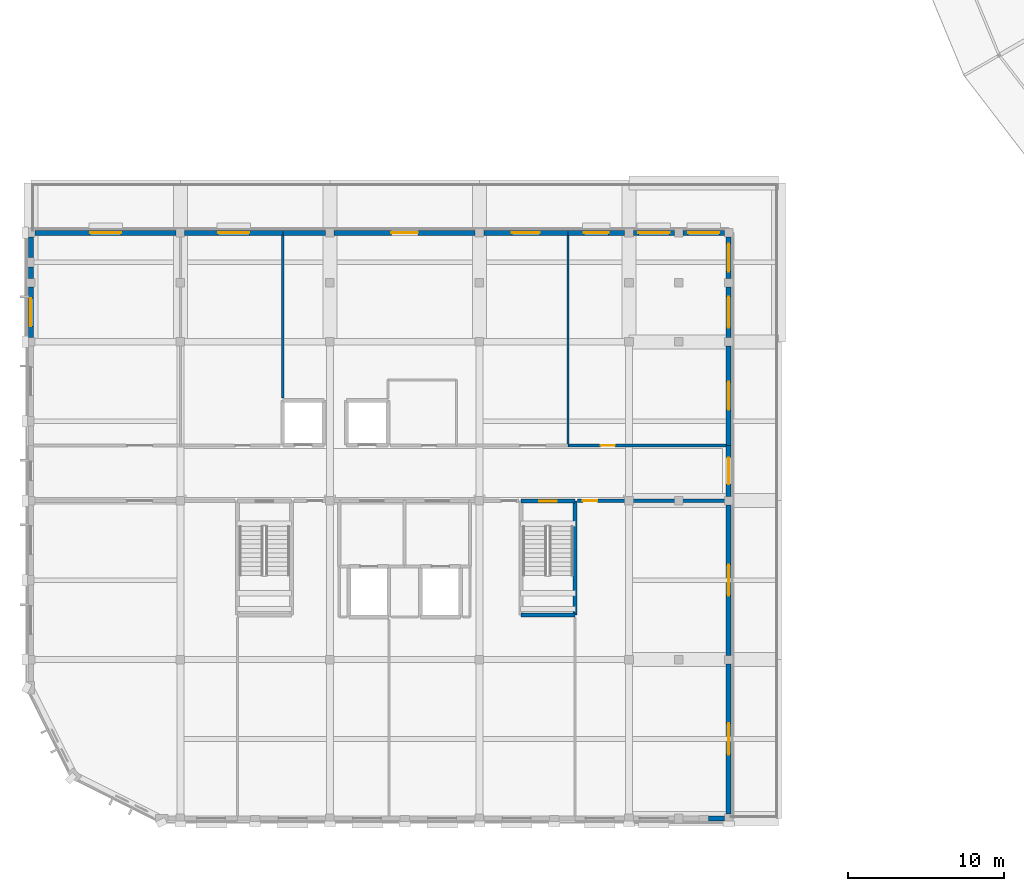
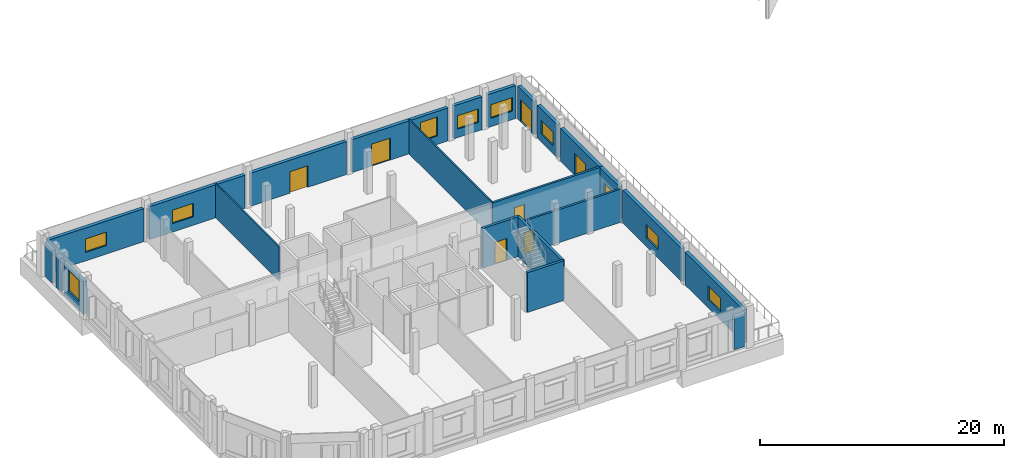
# One storey, part 61 of 70: 25 walls, 9 windows, 8 doors, 17 openings.
"""IFC4 building model written with IfcOpenShell, lengths in metres."""

import ifcopenshell
import ifcopenshell.guid

model = None  # the IFC model being written
_history = None  # IfcOwnerHistory: only IFC2X3 demands one
_inside = {}  # id of a spatial element -> (the spatial element, [elements in it])
_under = {}  # id of a project, library or spatial element -> (it, [spatial elements below it])
_declared = {}  # id of a project -> (the project, [libraries it declares])
_typed = {}  # id of a type object -> (the type object, [elements of that type])
_made_of = {}  # id of a material, layer set ... -> (it, [elements and type objects made of it])


def new_model(schema):
    """Start an empty IFC model of exactly this schema.

    Asked for "IFC4X3", IfcOpenShell would pick the latest addendum, in which some entities
    have other attributes; the version numbers below select the first issue.
    IFC2X3 requires an IfcOwnerHistory on every rooted entity: one is made here for all.
    """
    global model, _history
    if schema == "IFC4X3":
        model = ifcopenshell.file(schema_version=(4, 3, 0, 0))
    else:
        model = ifcopenshell.file(schema=schema)
    _inside.clear()
    _under.clear()
    _declared.clear()
    _typed.clear()
    _made_of.clear()
    _history = None
    if model.schema == "IFC2X3":
        org = make("IfcOrganization", Name="unknown")
        user = make(
            "IfcPersonAndOrganization",
            ThePerson=make("IfcPerson", FamilyName="unknown"),
            TheOrganization=org,
        )
        app = make(
            "IfcApplication",
            ApplicationDeveloper=org,
            Version="unknown",
            ApplicationFullName="unknown",
            ApplicationIdentifier="unknown",
        )
        _history = make(
            "IfcOwnerHistory",
            OwningUser=user,
            OwningApplication=app,
            ChangeAction="ADDED",
            CreationDate=0,
        )
    return model


def make(cls, **values):
    """One entity of the class cls with the attributes given. An attribute that is None is left unset."""
    return model.create_entity(
        cls, **{name: value for name, value in values.items() if value is not None}
    )


def rooted(cls, **values):
    """An entity with a GlobalId (a new one), such as an element, a storey or a relation."""
    return make(cls, GlobalId=ifcopenshell.guid.new(), OwnerHistory=_history, **values)


def si_unit(unit_type, name, prefix=None):
    """IfcSIUnit, for example si_unit("LENGTHUNIT", "METRE", prefix="MILLI")."""
    return make("IfcSIUnit", UnitType=unit_type, Prefix=prefix, Name=name)


def assignment(units):
    """IfcUnitAssignment: the units of a project."""
    return None if units is None else make("IfcUnitAssignment", Units=units)


def point(xyz):
    """IfcCartesianPoint."""
    return None if xyz is None else make("IfcCartesianPoint", Coordinates=xyz)


def direction(xyz):
    """IfcDirection."""
    return None if xyz is None else make("IfcDirection", DirectionRatios=xyz)


def frame(location, z_axis=None, x_axis=None):
    """IfcAxis2Placement3D, a coordinate frame: its origin and axes. An axis left out is left unset."""
    return make(
        "IfcAxis2Placement3D",
        Location=point(location),
        Axis=direction(z_axis),
        RefDirection=direction(x_axis),
    )


def frame_2d(location, x_axis=None):
    """IfcAxis2Placement2D, a coordinate frame in the plane: its origin and x axis."""
    return make(
        "IfcAxis2Placement2D", Location=point(location), RefDirection=direction(x_axis)
    )


def origin():
    """The frame at (0, 0, 0) with its axes left unset."""
    return frame((0.0, 0.0, 0.0))


def place(relative_to, where):
    """IfcLocalPlacement: puts the frame where relative to a parent placement (None: the world)."""
    return make(
        "IfcLocalPlacement", PlacementRelTo=relative_to, RelativePlacement=where
    )


def context(
    kind, dimensions, precision=None, world=None, true_north=None, identifier=None
):
    """IfcGeometricRepresentationContext, for example the 3D "Model" context."""
    return make(
        "IfcGeometricRepresentationContext",
        ContextIdentifier=identifier,
        ContextType=kind,
        CoordinateSpaceDimension=dimensions,
        Precision=precision,
        WorldCoordinateSystem=world,
        TrueNorth=true_north,
    )


def subcontext(parent, identifier, kind, view, scale=None):
    """IfcGeometricRepresentationSubContext, for example "Body" below "Model"."""
    return make(
        "IfcGeometricRepresentationSubContext",
        ContextIdentifier=identifier,
        ContextType=kind,
        ParentContext=parent,
        TargetScale=scale,
        TargetView=view,
    )


def project(units=None, contexts=None):
    """IfcProject with its units and contexts."""
    return rooted(
        "IfcProject",
        Name="project",
        RepresentationContexts=contexts,
        UnitsInContext=assignment(units),
    )


def spatial(cls, under=None, at=None, **own):
    """A site, building, storey or space (cls), placed at a placement, below another one or the project."""
    s = rooted(cls, ObjectPlacement=at, **own)
    if under is not None:
        _under.setdefault(under.id(), (under, []))[1].append(s)
    return s


def profile(cls, at=None, kind="AREA", **sizes):
    """A parametric profile (cls). Its sizes go by their IFC names, for example OverallWidth=200.0."""
    return make(cls, ProfileType=kind, Position=at, **sizes)


def rectangle(**sizes):
    """IfcRectangleProfileDef."""
    return profile("IfcRectangleProfileDef", **sizes)


def extrude(swept, where, along, depth):
    """IfcExtrudedAreaSolid: the profile swept, set in the frame where, extruded along a direction by depth."""
    return make(
        "IfcExtrudedAreaSolid",
        SweptArea=swept,
        Position=where,
        ExtrudedDirection=direction(along),
        Depth=depth,
    )


def shape(context_of_items, identifier, shape_type, items):
    """IfcShapeRepresentation: the items that make up one representation, for example the "Body"."""
    return make(
        "IfcShapeRepresentation",
        ContextOfItems=context_of_items,
        RepresentationIdentifier=identifier,
        RepresentationType=shape_type,
        Items=items,
    )


def material(Name=None, Category=None):
    """IfcMaterial."""
    return make("IfcMaterial", Name=Name, Category=Category)


def layer(
    of_material, thickness, ventilated=None, Name=None, Category=None, Priority=None
):
    """IfcMaterialLayer: one layer of a wall or slab, of a material (None: an air gap)."""
    return make(
        "IfcMaterialLayer",
        Material=of_material,
        LayerThickness=thickness,
        IsVentilated=ventilated,
        Name=Name,
        Category=Category,
        Priority=Priority,
    )


def layer_set(layers, Name=None):
    """IfcMaterialLayerSet."""
    return make("IfcMaterialLayerSet", MaterialLayers=layers, LayerSetName=Name)


def made_of(thing, what):
    """Note that an element or type object is made of a material, layer set ...; save() writes the relation."""
    if what is not None:
        _made_of.setdefault(what.id(), (what, []))[1].append(thing)
    return thing


def type_object(cls, material=None, **own):
    """A type object (cls), such as IfcWallType, which elements share."""
    return made_of(rooted(cls, **own), material)


def element(
    cls,
    number,
    at=None,
    inside=None,
    cuts=None,
    type_object=None,
    material=None,
    context=None,
    identifier="Body",
    shape_type=None,
    held_by="IfcProductDefinitionShape",
    body=None,
    shapes=None,
    **own,
):
    """One element of the class cls, such as IfcWall. Its Tag is "e" and its number.

    at: its placement. inside: the storey or other place that contains it. cuts: it is an
    opening in that element (IfcRelVoidsElement). A single representation is given by context,
    identifier, shape_type and body (its items); several are given by shapes. held_by: the class
    of the entity that holds the representations. save() writes the other relations.
    """
    e = rooted(cls, Tag="e%d" % number, ObjectPlacement=at, **own)
    if body is not None:
        shapes = [shape(context, identifier, shape_type, body)]
    if shapes is not None:
        e.Representation = make(held_by, Representations=shapes)
    if inside is not None:
        _inside.setdefault(inside.id(), (inside, []))[1].append(e)
    if cuts is not None:
        rooted(
            "IfcRelVoidsElement", RelatingBuildingElement=cuts, RelatedOpeningElement=e
        )
    if type_object is not None:
        _typed.setdefault(type_object.id(), (type_object, []))[1].append(e)
    return made_of(e, material)


def fill(opening, filler):
    """IfcRelFillsElement: the door or window that sits in an opening."""
    return rooted(
        "IfcRelFillsElement",
        RelatingOpeningElement=opening,
        RelatedBuildingElement=filler,
    )


def aggregate(whole, parts):
    """IfcRelAggregates: a whole, such as a stair, and the parts it consists of."""
    return rooted("IfcRelAggregates", RelatingObject=whole, RelatedObjects=parts)


def save(model, path):
    """Write the relations noted so far, then the file.

    IfcRelAggregates (storeys below a building ...), IfcRelContainedInSpatialStructure (elements
    in a storey), IfcRelDefinesByType, IfcRelAssociatesMaterial and IfcRelDeclares: one each for
    every whole, place, type object, material and project.
    """
    for whole, parts in _under.values():
        aggregate(whole, parts)
    for where, things in _inside.values():
        rooted(
            "IfcRelContainedInSpatialStructure",
            RelatedElements=things,
            RelatingStructure=where,
        )
    for kind, things in _typed.values():
        rooted("IfcRelDefinesByType", RelatedObjects=things, RelatingType=kind)
    for what, things in _made_of.values():
        rooted("IfcRelAssociatesMaterial", RelatedObjects=things, RelatingMaterial=what)
    for by, libraries in _declared.values():
        rooted("IfcRelDeclares", RelatingContext=by, RelatedDefinitions=libraries)
    model.write(path)


model = new_model("IFC4")

# Units and contexts
model_context = context("Model", 3, precision=1e-05, world=origin(), true_north=direction((0.0, 1.0)))
body_context = subcontext(model_context, "Body", "Model", "MODEL_VIEW")
ifc_project = project(units=[si_unit("LENGTHUNIT", "METRE"), si_unit("AREAUNIT", "SQUARE_METRE"), si_unit("VOLUMEUNIT", "CUBIC_METRE"), si_unit("PLANEANGLEUNIT", "RADIAN"), si_unit("MASSUNIT", "GRAM", prefix="KILO")], contexts=[model_context])

# Site, building, storey
site_placement = place(None, origin())
site = spatial("IfcSite", under=ifc_project, at=site_placement, CompositionType="ELEMENT")
building_placement = place(site_placement, origin())
building = spatial("IfcBuilding", under=site, at=building_placement, Name="Vondelvale Polytechnic", CompositionType="ELEMENT")
storey_placement = place(building_placement, frame((0.0, 0.0, 22.199951171875)))
storey = spatial("IfcBuildingStorey", under=building, at=storey_placement, Name="L05", CompositionType="ELEMENT", Elevation=22.199951171875)

# Wall
ifc_material_1 = material(Name="Amsterdam School iron-spot clinker clay brickwork", Category="masonry")
ifc_layer_1 = layer(ifc_material_1, 0.320068359375)
ifc_layer_set_1 = layer_set([ifc_layer_1], Name="WL-BRICK-320")
wall_type_1 = type_object("IfcWallType", Name="WL-BRICK-320", PredefinedType="SOLIDWALL", material=ifc_layer_set_1)
wall_1_placement = place(storey_placement, frame((44.52392578125, 0.0, 0.0), z_axis=(0.0, 0.0, 1.0), x_axis=(-1.0, 0.0, 0.0)))
element("IfcWall", 1, at=wall_1_placement, inside=storey, type_object=wall_type_1, Name="L05 exterior masonry facade wall", PredefinedType="SOLIDWALL", context=body_context, shape_type="SweptSolid", body=[
    extrude(rectangle(XDim=1.02294921875, YDim=0.320068359375, at=frame_2d((0.511474609375, 0.0))), origin(), (0.0, 0.0, 1.0), 3.300048828125),
])

# Wall, opening, window
wall_2_placement = place(storey_placement, frame((0.0, 30.8759765625, 0.0), z_axis=(0.0, 0.0, 1.0), x_axis=(0.0, 1.0, 0.0)))
wall_2 = element("IfcWall", 2, at=wall_2_placement, inside=storey, type_object=wall_type_1, Name="L05 exterior masonry facade wall", PredefinedType="SOLIDWALL", context=body_context, shape_type="SweptSolid", body=[
    extrude(rectangle(XDim=3.248046875, YDim=0.320068359375, at=frame_2d((1.6240234375, 0.0))), origin(), (0.0, 0.0, 1.0), 3.300048828125),
])
opening_1_placement = place(wall_2_placement, frame((0.72412109375, 0.0, 0.85009765625)))
opening_1 = element("IfcOpeningElement", 3, at=opening_1_placement, cuts=wall_2, Name="Opening WN-0267", PredefinedType="OPENING", context=body_context, shape_type="SweptSolid", body=[
    extrude(rectangle(XDim=1.800048828125, YDim=2.10009765625, at=frame_2d((0.89990234375, 1.050048828125))), frame((0.0, 0.169921875, 0.0), z_axis=(0.0, -1.0, 0.0), x_axis=(1.0, 0.0, 0.0)), (0.0, 0.0, 1.0), 0.340087890625),
])
ifc_material_2 = material(Name="Double-glazed low-E insulated architectural glass", Category="glass")
window_type_1 = type_object("IfcWindowType", Name="WN-LAB-1800x2100", PartitioningType="SINGLE_PANEL", PredefinedType="WINDOW", material=ifc_material_2)
window_1_placement = place(opening_1_placement, origin())
window_1 = element("IfcWindow", 4, at=window_1_placement, inside=storey, type_object=window_type_1, Name="L05 double-glazed architectural window WN-0267", OverallHeight=2.10009765625, OverallWidth=1.800048828125, PartitioningType="SINGLE_PANEL", PredefinedType="WINDOW", context=body_context, shape_type="SweptSolid", body=[
    extrude(rectangle(XDim=1.800048828125, YDim=2.10009765625, at=frame_2d((0.89990234375, 1.050048828125))), frame((0.0, 0.030029296875, 0.0), z_axis=(0.0, -1.0, 0.0), x_axis=(1.0, 0.0, 0.0)), (0.0, 0.0, 1.0), 0.06005859375),
])
fill(opening_1, window_1)

# Walls
wall_3_placement = place(storey_placement, frame((0.0, 34.676025390625, 0.0), z_axis=(0.0, 0.0, 1.0), x_axis=(0.0, 1.0, 0.0)))
element("IfcWall", 5, at=wall_3_placement, inside=storey, type_object=wall_type_1, Name="L05 exterior masonry facade wall", PredefinedType="SOLIDWALL", context=body_context, shape_type="SweptSolid", body=[
    extrude(rectangle(XDim=0.722900390625, YDim=0.320068359375, at=frame_2d((0.361328125, 0.0))), origin(), (0.0, 0.0, 1.0), 3.300048828125),
])
wall_4_placement = place(storey_placement, frame((0.0, 36.0009765625, 0.0), z_axis=(0.0, 0.0, 1.0), x_axis=(0.0, 1.0, 0.0)))
element("IfcWall", 6, at=wall_4_placement, inside=storey, type_object=wall_type_1, Name="L05 exterior masonry facade wall", PredefinedType="SOLIDWALL", context=body_context, shape_type="SweptSolid", body=[
    extrude(rectangle(XDim=1.322998046875, YDim=0.320068359375, at=frame_2d((0.66162109375, 0.0))), origin(), (0.0, 0.0, 1.0), 3.300048828125),
])

# Wall, opening, window
wall_5_placement = place(storey_placement, frame((44.800048828125, 9.924072265625, 0.0), z_axis=(0.0, 0.0, 1.0), x_axis=(0.0, -1.0, 0.0)))
wall_5 = element("IfcWall", 7, at=wall_5_placement, inside=storey, type_object=wall_type_1, Name="L05 exterior masonry facade wall", PredefinedType="SOLIDWALL", context=body_context, shape_type="SweptSolid", body=[
    extrude(rectangle(XDim=9.648193359375, YDim=0.320068359375, at=frame_2d((4.82421875, 0.0))), origin(), (0.0, 0.0, 1.0), 3.300048828125),
])
opening_2_placement = place(wall_5_placement, frame((3.823974609375, 0.0, 0.85009765625)))
opening_2 = element("IfcOpeningElement", 8, at=opening_2_placement, cuts=wall_5, Name="Opening WN-0268", PredefinedType="OPENING", context=body_context, shape_type="SweptSolid", body=[
    extrude(rectangle(XDim=2.0, YDim=1.35009765625, at=frame_2d((1.0, 0.675048828125))), frame((0.0, 0.169921875, 0.0), z_axis=(0.0, -1.0, 0.0), x_axis=(1.0, 0.0, 0.0)), (0.0, 0.0, 1.0), 0.340087890625),
])
window_type_2 = type_object("IfcWindowType", Name="WN-RIB-2000x1350", PartitioningType="SINGLE_PANEL", PredefinedType="WINDOW", material=ifc_material_2)
window_2_placement = place(opening_2_placement, origin())
window_2 = element("IfcWindow", 9, at=window_2_placement, inside=storey, type_object=window_type_2, Name="L05 double-glazed architectural window WN-0268", OverallHeight=1.35009765625, OverallWidth=2.0, PartitioningType="SINGLE_PANEL", PredefinedType="WINDOW", context=body_context, shape_type="SweptSolid", body=[
    extrude(rectangle(XDim=2.0, YDim=1.35009765625, at=frame_2d((1.0, 0.675048828125))), frame((0.0, 0.030029296875, 0.0), z_axis=(0.0, -1.0, 0.0), x_axis=(1.0, 0.0, 0.0)), (0.0, 0.0, 1.0), 0.06005859375),
])
fill(opening_2, window_2)

wall_6_placement = place(storey_placement, frame((44.800048828125, 20.1240234375, 0.0), z_axis=(0.0, 0.0, 1.0), x_axis=(0.0, -1.0, 0.0)))
wall_6 = element("IfcWall", 10, at=wall_6_placement, inside=storey, type_object=wall_type_1, Name="L05 exterior masonry facade wall", PredefinedType="SOLIDWALL", context=body_context, shape_type="SweptSolid", body=[
    extrude(rectangle(XDim=9.64794921875, YDim=0.320068359375, at=frame_2d((4.823974609375, 0.0))), origin(), (0.0, 0.0, 1.0), 3.300048828125),
])
opening_3_placement = place(wall_6_placement, frame((3.823974609375, 0.0, 0.85009765625)))
opening_3 = element("IfcOpeningElement", 11, at=opening_3_placement, cuts=wall_6, Name="Opening WN-0269", PredefinedType="OPENING", context=body_context, shape_type="SweptSolid", body=[
    extrude(rectangle(XDim=2.0, YDim=1.35009765625, at=frame_2d((1.0, 0.675048828125))), frame((0.0, 0.169921875, 0.0), z_axis=(0.0, -1.0, 0.0), x_axis=(1.0, 0.0, 0.0)), (0.0, 0.0, 1.0), 0.340087890625),
])
window_3_placement = place(opening_3_placement, origin())
window_3 = element("IfcWindow", 12, at=window_3_placement, inside=storey, type_object=window_type_2, Name="L05 double-glazed architectural window WN-0269", OverallHeight=1.35009765625, OverallWidth=2.0, PartitioningType="SINGLE_PANEL", PredefinedType="WINDOW", context=body_context, shape_type="SweptSolid", body=[
    extrude(rectangle(XDim=2.0, YDim=1.35009765625, at=frame_2d((1.0, 0.675048828125))), frame((0.0, 0.030029296875, 0.0), z_axis=(0.0, -1.0, 0.0), x_axis=(1.0, 0.0, 0.0)), (0.0, 0.0, 1.0), 0.06005859375),
])
fill(opening_3, window_3)

# Wall, opening, door
wall_7_placement = place(storey_placement, frame((44.800048828125, 23.949951171875, 0.0), z_axis=(0.0, 0.0, 1.0), x_axis=(0.0, -1.0, 0.0)))
wall_7 = element("IfcWall", 13, at=wall_7_placement, inside=storey, type_object=wall_type_1, Name="L05 exterior masonry facade wall", PredefinedType="SOLIDWALL", context=body_context, shape_type="SweptSolid", body=[
    extrude(rectangle(XDim=3.27392578125, YDim=0.320068359375, at=frame_2d((1.636962890625, 0.0))), origin(), (0.0, 0.0, 1.0), 3.300048828125),
])
opening_4_placement = place(wall_7_placement, frame((0.787109375, 0.0, 0.0)))
opening_4 = element("IfcOpeningElement", 14, at=opening_4_placement, cuts=wall_7, Name="Opening ED-011", PredefinedType="OPENING", context=body_context, shape_type="SweptSolid", body=[
    extrude(rectangle(XDim=1.699951171875, YDim=2.14990234375, at=frame_2d((0.85009765625, 1.074951171875))), frame((0.0, 0.169921875, 0.0), z_axis=(0.0, -1.0, 0.0), x_axis=(1.0, 0.0, 0.0)), (0.0, 0.0, 1.0), 0.340087890625),
])
ifc_material_3 = material(Name="Anodised extruded aluminium 6063-T6", Category="aluminium")
door_type_1 = type_object("IfcDoorType", Name="DR-TER-1700x2150", OperationType="DOUBLE_DOOR_SINGLE_SWING", PredefinedType="DOOR", material=ifc_material_3)
door_1_placement = place(opening_4_placement, origin())
door_1 = element("IfcDoor", 15, at=door_1_placement, inside=storey, type_object=door_type_1, Name="L05 exterior entrance/exit door ED-011", OperationType="DOUBLE_DOOR_SINGLE_SWING", OverallHeight=2.14990234375, OverallWidth=1.699951171875, PredefinedType="DOOR", context=body_context, shape_type="SweptSolid", body=[
    extrude(rectangle(XDim=1.699951171875, YDim=2.14990234375, at=frame_2d((0.85009765625, 1.074951171875))), frame((0.0, 0.02490234375, 0.0), z_axis=(0.0, -1.0, 0.0), x_axis=(1.0, 0.0, 0.0)), (0.0, 0.0, 1.0), 0.050048828125),
])
fill(opening_4, door_1)

wall_8_placement = place(storey_placement, frame((44.800048828125, 30.323974609375, 0.0), z_axis=(0.0, 0.0, 1.0), x_axis=(0.0, -1.0, 0.0)))
wall_8 = element("IfcWall", 16, at=wall_8_placement, inside=storey, type_object=wall_type_1, Name="L05 exterior masonry facade wall", PredefinedType="SOLIDWALL", context=body_context, shape_type="SweptSolid", body=[
    extrude(rectangle(XDim=6.3740234375, YDim=0.320068359375, at=frame_2d((3.18701171875, 0.0))), origin(), (0.0, 0.0, 1.0), 3.300048828125),
])
opening_5_placement = place(wall_8_placement, frame((2.287109375, 0.0, 0.0)))
opening_5 = element("IfcOpeningElement", 17, at=opening_5_placement, cuts=wall_8, Name="Opening ED-012", PredefinedType="OPENING", context=body_context, shape_type="SweptSolid", body=[
    extrude(rectangle(XDim=1.800048828125, YDim=2.199951171875, at=frame_2d((0.89990234375, 1.10009765625))), frame((0.0, 0.169921875, 0.0), z_axis=(0.0, -1.0, 0.0), x_axis=(1.0, 0.0, 0.0)), (0.0, 0.0, 1.0), 0.340087890625),
])
door_type_2 = type_object("IfcDoorType", Name="DR-TER-1800x2200", OperationType="DOUBLE_DOOR_SINGLE_SWING", PredefinedType="DOOR", material=ifc_material_3)
door_2_placement = place(opening_5_placement, origin())
door_2 = element("IfcDoor", 18, at=door_2_placement, inside=storey, type_object=door_type_2, Name="L05 exterior entrance/exit door ED-012", OperationType="DOUBLE_DOOR_SINGLE_SWING", OverallHeight=2.199951171875, OverallWidth=1.800048828125, PredefinedType="DOOR", context=body_context, shape_type="SweptSolid", body=[
    extrude(rectangle(XDim=1.800048828125, YDim=2.199951171875, at=frame_2d((0.89990234375, 1.10009765625))), frame((0.0, 0.02490234375, 0.0), z_axis=(0.0, -1.0, 0.0), x_axis=(1.0, 0.0, 0.0)), (0.0, 0.0, 1.0), 0.050048828125),
])
fill(opening_5, door_2)

wall_9_placement = place(storey_placement, frame((44.800048828125, 37.323974609375, 0.0), z_axis=(0.0, 0.0, 1.0), x_axis=(0.0, -1.0, 0.0)))
wall_9 = element("IfcWall", 19, at=wall_9_placement, inside=storey, type_object=wall_type_1, Name="L05 exterior masonry facade wall", PredefinedType="SOLIDWALL", context=body_context, shape_type="SweptSolid", body=[
    extrude(rectangle(XDim=2.64794921875, YDim=0.320068359375, at=frame_2d((1.323974609375, 0.0))), origin(), (0.0, 0.0, 1.0), 3.300048828125),
])
opening_6_placement = place(wall_9_placement, frame((0.424072265625, 0.0, 0.0)))
opening_6 = element("IfcOpeningElement", 20, at=opening_6_placement, cuts=wall_9, Name="Opening ED-013", PredefinedType="OPENING", context=body_context, shape_type="SweptSolid", body=[
    extrude(rectangle(XDim=1.800048828125, YDim=2.199951171875, at=frame_2d((0.89990234375, 1.10009765625))), frame((0.0, 0.169921875, 0.0), z_axis=(0.0, -1.0, 0.0), x_axis=(1.0, 0.0, 0.0)), (0.0, 0.0, 1.0), 0.340087890625),
])
door_3_placement = place(opening_6_placement, origin())
door_3 = element("IfcDoor", 21, at=door_3_placement, inside=storey, type_object=door_type_2, Name="L05 exterior entrance/exit door ED-013", OperationType="DOUBLE_DOOR_SINGLE_SWING", OverallHeight=2.199951171875, OverallWidth=1.800048828125, PredefinedType="DOOR", context=body_context, shape_type="SweptSolid", body=[
    extrude(rectangle(XDim=1.800048828125, YDim=2.199951171875, at=frame_2d((0.89990234375, 1.10009765625))), frame((0.0, 0.02490234375, 0.0), z_axis=(0.0, -1.0, 0.0), x_axis=(1.0, 0.0, 0.0)), (0.0, 0.0, 1.0), 0.050048828125),
])
fill(opening_6, door_3)

# Wall, opening, window
wall_10_placement = place(storey_placement, frame((44.800048828125, 34.1240234375, 0.0), z_axis=(0.0, 0.0, 1.0), x_axis=(0.0, -1.0, 0.0)))
wall_10 = element("IfcWall", 22, at=wall_10_placement, inside=storey, type_object=wall_type_1, Name="L05 exterior masonry facade wall", PredefinedType="SOLIDWALL", context=body_context, shape_type="SweptSolid", body=[
    extrude(rectangle(XDim=3.248046875, YDim=0.320068359375, at=frame_2d((1.6240234375, 0.0))), origin(), (0.0, 0.0, 1.0), 3.300048828125),
])
opening_7_placement = place(wall_10_placement, frame((0.6240234375, 0.0, 0.800048828125)))
opening_7 = element("IfcOpeningElement", 23, at=opening_7_placement, cuts=wall_10, Name="Opening WN-0270", PredefinedType="OPENING", context=body_context, shape_type="SweptSolid", body=[
    extrude(rectangle(XDim=2.0, YDim=1.35009765625, at=frame_2d((1.0, 0.675048828125))), frame((0.0, 0.169921875, 0.0), z_axis=(0.0, -1.0, 0.0), x_axis=(1.0, 0.0, 0.0)), (0.0, 0.0, 1.0), 0.340087890625),
])
window_4_placement = place(opening_7_placement, origin())
window_4 = element("IfcWindow", 24, at=window_4_placement, inside=storey, type_object=window_type_2, Name="L05 double-glazed architectural window WN-0270", OverallHeight=1.35009765625, OverallWidth=2.0, PartitioningType="SINGLE_PANEL", PredefinedType="WINDOW", context=body_context, shape_type="SweptSolid", body=[
    extrude(rectangle(XDim=2.0, YDim=1.35009765625, at=frame_2d((1.0, 0.675048828125))), frame((0.0, 0.030029296875, 0.0), z_axis=(0.0, -1.0, 0.0), x_axis=(1.0, 0.0, 0.0)), (0.0, 0.0, 1.0), 0.06005859375),
])
fill(opening_7, window_4)

wall_11_placement = place(storey_placement, frame((0.27587890625, 37.60009765625, 0.0), z_axis=(0.0, 0.0, 1.0), x_axis=(1.0, 0.0, 0.0)))
wall_11 = element("IfcWall", 25, at=wall_11_placement, inside=storey, type_object=wall_type_1, Name="L05 exterior masonry facade wall", PredefinedType="SOLIDWALL", context=body_context, shape_type="SweptSolid", body=[
    extrude(rectangle(XDim=9.048095703125, YDim=0.320068359375, at=frame_2d((4.52392578125, 0.0))), origin(), (0.0, 0.0, 1.0), 3.300048828125),
])
opening_8_placement = place(wall_11_placement, frame((3.52392578125, 0.0, 0.85009765625)))
opening_8 = element("IfcOpeningElement", 26, at=opening_8_placement, cuts=wall_11, Name="Opening WN-0271", PredefinedType="OPENING", context=body_context, shape_type="SweptSolid", body=[
    extrude(rectangle(XDim=2.0, YDim=1.35009765625, at=frame_2d((1.0, 0.675048828125))), frame((0.0, 0.169921875, 0.0), z_axis=(0.0, -1.0, 0.0), x_axis=(1.0, 0.0, 0.0)), (0.0, 0.0, 1.0), 0.340087890625),
])
window_5_placement = place(opening_8_placement, origin())
window_5 = element("IfcWindow", 27, at=window_5_placement, inside=storey, type_object=window_type_2, Name="L05 double-glazed architectural window WN-0271", OverallHeight=1.35009765625, OverallWidth=2.0, PartitioningType="SINGLE_PANEL", PredefinedType="WINDOW", context=body_context, shape_type="SweptSolid", body=[
    extrude(rectangle(XDim=2.0, YDim=1.35009765625, at=frame_2d((1.0, 0.675048828125))), frame((0.0, 0.030029296875, 0.0), z_axis=(0.0, -1.0, 0.0), x_axis=(1.0, 0.0, 0.0)), (0.0, 0.0, 1.0), 0.06005859375),
])
fill(opening_8, window_5)

wall_12_placement = place(storey_placement, frame((9.8759765625, 37.60009765625, 0.0), z_axis=(0.0, 0.0, 1.0), x_axis=(1.0, 0.0, 0.0)))
wall_12 = element("IfcWall", 28, at=wall_12_placement, inside=storey, type_object=wall_type_1, Name="L05 exterior masonry facade wall", PredefinedType="SOLIDWALL", context=body_context, shape_type="SweptSolid", body=[
    extrude(rectangle(XDim=6.299072265625, YDim=0.320068359375, at=frame_2d((3.1494140625, 0.0))), origin(), (0.0, 0.0, 1.0), 3.300048828125),
])
opening_9_placement = place(wall_12_placement, frame((2.1494140625, 0.0, 0.85009765625)))
opening_9 = element("IfcOpeningElement", 29, at=opening_9_placement, cuts=wall_12, Name="Opening WN-0272", PredefinedType="OPENING", context=body_context, shape_type="SweptSolid", body=[
    extrude(rectangle(XDim=2.0, YDim=1.35009765625, at=frame_2d((1.0, 0.675048828125))), frame((0.0, 0.169921875, 0.0), z_axis=(0.0, -1.0, 0.0), x_axis=(1.0, 0.0, 0.0)), (0.0, 0.0, 1.0), 0.340087890625),
])
window_6_placement = place(opening_9_placement, origin())
window_6 = element("IfcWindow", 30, at=window_6_placement, inside=storey, type_object=window_type_2, Name="L05 double-glazed architectural window WN-0272", OverallHeight=1.35009765625, OverallWidth=2.0, PartitioningType="SINGLE_PANEL", PredefinedType="WINDOW", context=body_context, shape_type="SweptSolid", body=[
    extrude(rectangle(XDim=2.0, YDim=1.35009765625, at=frame_2d((1.0, 0.675048828125))), frame((0.0, 0.030029296875, 0.0), z_axis=(0.0, -1.0, 0.0), x_axis=(1.0, 0.0, 0.0)), (0.0, 0.0, 1.0), 0.06005859375),
])
fill(opening_9, window_6)

# Wall
wall_13_placement = place(storey_placement, frame((16.175048828125, 37.60009765625, 0.0), z_axis=(0.0, 0.0, 1.0), x_axis=(1.0, 0.0, 0.0)))
element("IfcWall", 31, at=wall_13_placement, inside=storey, type_object=wall_type_1, Name="L05 exterior masonry facade wall", PredefinedType="SOLIDWALL", context=body_context, shape_type="SweptSolid", body=[
    extrude(rectangle(XDim=2.7490234375, YDim=0.320068359375, at=frame_2d((1.37451171875, 0.0))), origin(), (0.0, 0.0, 1.0), 3.300048828125),
])

# Wall, opening, door
wall_14_placement = place(storey_placement, frame((19.47607421875, 37.60009765625, 0.0), z_axis=(0.0, 0.0, 1.0), x_axis=(1.0, 0.0, 0.0)))
wall_14 = element("IfcWall", 32, at=wall_14_placement, inside=storey, type_object=wall_type_1, Name="L05 exterior masonry facade wall", PredefinedType="SOLIDWALL", context=body_context, shape_type="SweptSolid", body=[
    extrude(rectangle(XDim=9.0478515625, YDim=0.320068359375, at=frame_2d((4.52392578125, 0.0))), origin(), (0.0, 0.0, 1.0), 3.300048828125),
])
opening_10_placement = place(wall_14_placement, frame((3.674072265625, 0.0, 0.0)))
opening_10 = element("IfcOpeningElement", 33, at=opening_10_placement, cuts=wall_14, Name="Opening ED-014", PredefinedType="OPENING", context=body_context, shape_type="SweptSolid", body=[
    extrude(rectangle(XDim=1.699951171875, YDim=2.14990234375, at=frame_2d((0.85009765625, 1.074951171875))), frame((0.0, 0.169921875, 0.0), z_axis=(0.0, -1.0, 0.0), x_axis=(1.0, 0.0, 0.0)), (0.0, 0.0, 1.0), 0.340087890625),
])
door_4_placement = place(opening_10_placement, origin())
door_4 = element("IfcDoor", 34, at=door_4_placement, inside=storey, type_object=door_type_1, Name="L05 exterior entrance/exit door ED-014", OperationType="DOUBLE_DOOR_SINGLE_SWING", OverallHeight=2.14990234375, OverallWidth=1.699951171875, PredefinedType="DOOR", context=body_context, shape_type="SweptSolid", body=[
    extrude(rectangle(XDim=1.699951171875, YDim=2.14990234375, at=frame_2d((0.85009765625, 1.074951171875))), frame((0.0, 0.02490234375, 0.0), z_axis=(0.0, -1.0, 0.0), x_axis=(1.0, 0.0, 0.0)), (0.0, 0.0, 1.0), 0.050048828125),
])
fill(opening_10, door_4)

wall_15_placement = place(storey_placement, frame((29.075927734375, 37.60009765625, 0.0), z_axis=(0.0, 0.0, 1.0), x_axis=(1.0, 0.0, 0.0)))
wall_15 = element("IfcWall", 35, at=wall_15_placement, inside=storey, type_object=wall_type_1, Name="L05 exterior masonry facade wall", PredefinedType="SOLIDWALL", context=body_context, shape_type="SweptSolid", body=[
    extrude(rectangle(XDim=5.399169921875, YDim=0.320068359375, at=frame_2d((2.69970703125, 0.0))), origin(), (0.0, 0.0, 1.0), 3.300048828125),
])
opening_11_placement = place(wall_15_placement, frame((1.799560546875, 0.0, 0.0)))
opening_11 = element("IfcOpeningElement", 36, at=opening_11_placement, cuts=wall_15, Name="Opening ED-015", PredefinedType="OPENING", context=body_context, shape_type="SweptSolid", body=[
    extrude(rectangle(XDim=1.800048828125, YDim=2.199951171875, at=frame_2d((0.89990234375, 1.10009765625))), frame((0.0, 0.169921875, 0.0), z_axis=(0.0, -1.0, 0.0), x_axis=(1.0, 0.0, 0.0)), (0.0, 0.0, 1.0), 0.340087890625),
])
door_5_placement = place(opening_11_placement, origin())
door_5 = element("IfcDoor", 37, at=door_5_placement, inside=storey, type_object=door_type_2, Name="L05 exterior entrance/exit door ED-015", OperationType="DOUBLE_DOOR_SINGLE_SWING", OverallHeight=2.199951171875, OverallWidth=1.800048828125, PredefinedType="DOOR", context=body_context, shape_type="SweptSolid", body=[
    extrude(rectangle(XDim=1.800048828125, YDim=2.199951171875, at=frame_2d((0.89990234375, 1.10009765625))), frame((0.0, 0.02490234375, 0.0), z_axis=(0.0, -1.0, 0.0), x_axis=(1.0, 0.0, 0.0)), (0.0, 0.0, 1.0), 0.050048828125),
])
fill(opening_11, door_5)

# Wall, opening, window
wall_16_placement = place(storey_placement, frame((34.47509765625, 37.60009765625, 0.0), z_axis=(0.0, 0.0, 1.0), x_axis=(1.0, 0.0, 0.0)))
wall_16 = element("IfcWall", 38, at=wall_16_placement, inside=storey, type_object=wall_type_1, Name="L05 exterior masonry facade wall", PredefinedType="SOLIDWALL", context=body_context, shape_type="SweptSolid", body=[
    extrude(rectangle(XDim=3.64892578125, YDim=0.320068359375, at=frame_2d((1.824462890625, 0.0))), origin(), (0.0, 0.0, 1.0), 3.300048828125),
])
opening_12_placement = place(wall_16_placement, frame((1.0244140625, 0.0, 0.85009765625)))
opening_12 = element("IfcOpeningElement", 39, at=opening_12_placement, cuts=wall_16, Name="Opening WN-0273", PredefinedType="OPENING", context=body_context, shape_type="SweptSolid", body=[
    extrude(rectangle(XDim=1.60009765625, YDim=1.89990234375, at=frame_2d((0.800048828125, 0.949951171875))), frame((0.0, 0.169921875, 0.0), z_axis=(0.0, -1.0, 0.0), x_axis=(1.0, 0.0, 0.0)), (0.0, 0.0, 1.0), 0.340087890625),
])
window_type_3 = type_object("IfcWindowType", Name="WN-SEM-1600x1900", PartitioningType="SINGLE_PANEL", PredefinedType="WINDOW", material=ifc_material_2)
window_7_placement = place(opening_12_placement, origin())
window_7 = element("IfcWindow", 40, at=window_7_placement, inside=storey, type_object=window_type_3, Name="L05 double-glazed architectural window WN-0273", OverallHeight=1.89990234375, OverallWidth=1.60009765625, PartitioningType="SINGLE_PANEL", PredefinedType="WINDOW", context=body_context, shape_type="SweptSolid", body=[
    extrude(rectangle(XDim=1.60009765625, YDim=1.89990234375, at=frame_2d((0.800048828125, 0.949951171875))), frame((0.0, 0.030029296875, 0.0), z_axis=(0.0, -1.0, 0.0), x_axis=(1.0, 0.0, 0.0)), (0.0, 0.0, 1.0), 0.06005859375),
])
fill(opening_12, window_7)

wall_17_placement = place(storey_placement, frame((38.676025390625, 37.60009765625, 0.0), z_axis=(0.0, 0.0, 1.0), x_axis=(1.0, 0.0, 0.0)))
wall_17 = element("IfcWall", 41, at=wall_17_placement, inside=storey, type_object=wall_type_1, Name="L05 exterior masonry facade wall", PredefinedType="SOLIDWALL", context=body_context, shape_type="SweptSolid", body=[
    extrude(rectangle(XDim=2.64794921875, YDim=0.320068359375, at=frame_2d((1.323974609375, 0.0))), origin(), (0.0, 0.0, 1.0), 3.300048828125),
])
opening_13_placement = place(wall_17_placement, frame((0.323974609375, 0.0, 0.85009765625)))
opening_13 = element("IfcOpeningElement", 42, at=opening_13_placement, cuts=wall_17, Name="Opening WN-0274", PredefinedType="OPENING", context=body_context, shape_type="SweptSolid", body=[
    extrude(rectangle(XDim=2.0, YDim=1.35009765625, at=frame_2d((1.0, 0.675048828125))), frame((0.0, 0.169921875, 0.0), z_axis=(0.0, -1.0, 0.0), x_axis=(1.0, 0.0, 0.0)), (0.0, 0.0, 1.0), 0.340087890625),
])
window_8_placement = place(opening_13_placement, origin())
window_8 = element("IfcWindow", 43, at=window_8_placement, inside=storey, type_object=window_type_2, Name="L05 double-glazed architectural window WN-0274", OverallHeight=1.35009765625, OverallWidth=2.0, PartitioningType="SINGLE_PANEL", PredefinedType="WINDOW", context=body_context, shape_type="SweptSolid", body=[
    extrude(rectangle(XDim=2.0, YDim=1.35009765625, at=frame_2d((1.0, 0.675048828125))), frame((0.0, 0.030029296875, 0.0), z_axis=(0.0, -1.0, 0.0), x_axis=(1.0, 0.0, 0.0)), (0.0, 0.0, 1.0), 0.06005859375),
])
fill(opening_13, window_8)

wall_18_placement = place(storey_placement, frame((41.8759765625, 37.60009765625, 0.0), z_axis=(0.0, 0.0, 1.0), x_axis=(1.0, 0.0, 0.0)))
wall_18 = element("IfcWall", 44, at=wall_18_placement, inside=storey, type_object=wall_type_1, Name="L05 exterior masonry facade wall", PredefinedType="SOLIDWALL", context=body_context, shape_type="SweptSolid", body=[
    extrude(rectangle(XDim=2.64794921875, YDim=0.320068359375, at=frame_2d((1.323974609375, 0.0))), origin(), (0.0, 0.0, 1.0), 3.300048828125),
])
opening_14_placement = place(wall_18_placement, frame((0.323974609375, 0.0, 0.85009765625)))
opening_14 = element("IfcOpeningElement", 45, at=opening_14_placement, cuts=wall_18, Name="Opening WN-0275", PredefinedType="OPENING", context=body_context, shape_type="SweptSolid", body=[
    extrude(rectangle(XDim=2.0, YDim=1.35009765625, at=frame_2d((1.0, 0.675048828125))), frame((0.0, 0.169921875, 0.0), z_axis=(0.0, -1.0, 0.0), x_axis=(1.0, 0.0, 0.0)), (0.0, 0.0, 1.0), 0.340087890625),
])
window_9_placement = place(opening_14_placement, origin())
window_9 = element("IfcWindow", 46, at=window_9_placement, inside=storey, type_object=window_type_2, Name="L05 double-glazed architectural window WN-0275", OverallHeight=1.35009765625, OverallWidth=2.0, PartitioningType="SINGLE_PANEL", PredefinedType="WINDOW", context=body_context, shape_type="SweptSolid", body=[
    extrude(rectangle(XDim=2.0, YDim=1.35009765625, at=frame_2d((1.0, 0.675048828125))), frame((0.0, 0.030029296875, 0.0), z_axis=(0.0, -1.0, 0.0), x_axis=(1.0, 0.0, 0.0)), (0.0, 0.0, 1.0), 0.06005859375),
])
fill(opening_14, window_9)

# Walls
ifc_material_4 = material(Name="Concrete N40 (f'c = 40 MPa)", Category="concrete")
ifc_layer_2 = layer(ifc_material_4, 0.25)
ifc_layer_set_2 = layer_set([ifc_layer_2], Name="WL-CORE-250")
wall_type_2 = type_object("IfcWallType", Name="WL-CORE-250", PredefinedType="SOLIDWALL", material=ifc_layer_set_2)
wall_19_placement = place(storey_placement, frame((31.47509765625, 13.074951171875, 0.0), z_axis=(0.0, 0.0, 1.0), x_axis=(1.0, 0.0, 0.0)))
element("IfcWall", 47, at=wall_19_placement, inside=storey, type_object=wall_type_2, Name="L05 ST-04 reinforced concrete stair core wall", PredefinedType="SOLIDWALL", context=body_context, shape_type="SweptSolid", body=[
    extrude(rectangle(XDim=3.449951171875, YDim=0.25, at=frame_2d((1.72509765625, 0.0))), origin(), (0.0, 0.0, 1.0), 3.97509765625),
])
wall_20_placement = place(storey_placement, frame((34.925048828125, 13.074951171875, 0.0), z_axis=(0.0, 0.0, 1.0), x_axis=(0.0, 1.0, 0.0)))
element("IfcWall", 48, at=wall_20_placement, inside=storey, type_object=wall_type_2, Name="L05 ST-04 reinforced concrete stair core wall", PredefinedType="SOLIDWALL", context=body_context, shape_type="SweptSolid", body=[
    extrude(rectangle(XDim=7.300048828125, YDim=0.25, at=frame_2d((3.64990234375, 0.0))), origin(), (0.0, 0.0, 1.0), 3.97509765625),
])

# Wall, opening, door
wall_21_placement = place(storey_placement, frame((34.925048828125, 20.375, 0.0), z_axis=(0.0, 0.0, 1.0), x_axis=(-1.0, 0.0, 0.0)))
wall_21 = element("IfcWall", 49, at=wall_21_placement, inside=storey, type_object=wall_type_2, Name="L05 ST-04 reinforced concrete stair core wall", PredefinedType="SOLIDWALL", context=body_context, shape_type="SweptSolid", body=[
    extrude(rectangle(XDim=3.449951171875, YDim=0.25, at=frame_2d((1.72509765625, 0.0))), origin(), (0.0, 0.0, 1.0), 3.97509765625),
])
opening_15_placement = place(wall_21_placement, frame((1.175048828125, 0.0, 0.0)))
opening_15 = element("IfcOpeningElement", 50, at=opening_15_placement, cuts=wall_21, Name="Opening SD-024", PredefinedType="OPENING", context=body_context, shape_type="SweptSolid", body=[
    extrude(rectangle(XDim=1.10009765625, YDim=2.199951171875, at=frame_2d((0.550048828125, 1.10009765625))), frame((0.0, 0.135009765625, 0.0), z_axis=(0.0, -1.0, 0.0), x_axis=(1.0, 0.0, 0.0)), (0.0, 0.0, 1.0), 0.27001953125),
])
ifc_material_5 = material(Name="Brushed architectural stainless and zinc-coated metal")
door_type_3 = type_object("IfcDoorType", Name="DR-STAIR-1100x2200", OperationType="SINGLE_SWING_LEFT", PredefinedType="DOOR", material=ifc_material_5)
door_6_placement = place(opening_15_placement, origin())
door_6 = element("IfcDoor", 51, at=door_6_placement, inside=storey, type_object=door_type_3, Name="L05 ST-04 fire-isolated stair door", OperationType="SINGLE_SWING_RIGHT", OverallHeight=2.199951171875, OverallWidth=1.10009765625, PredefinedType="DOOR", context=body_context, shape_type="SweptSolid", body=[
    extrude(rectangle(XDim=1.10009765625, YDim=2.199951171875, at=frame_2d((0.550048828125, 1.10009765625))), frame((0.0, 0.02490234375, 0.0), z_axis=(0.0, -1.0, 0.0), x_axis=(1.0, 0.0, 0.0)), (0.0, 0.0, 1.0), 0.050048828125),
])
fill(opening_15, door_6)

ifc_material_6 = material(Name="Fire-rated double-layer plasterboard stud partition")
ifc_layer_3 = layer(ifc_material_6, 0.199951171875)
ifc_layer_set_3 = layer_set([ifc_layer_3], Name="WL-CORR-200")
wall_type_3 = type_object("IfcWallType", Name="WL-CORR-200", PredefinedType="PARTITIONING", material=ifc_layer_set_3)
wall_22_placement = place(storey_placement, frame((35.090087890625, 20.39990234375, 0.0), z_axis=(0.0, 0.0, 1.0), x_axis=(1.0, 0.0, 0.0)))
wall_22 = element("IfcWall", 52, at=wall_22_placement, inside=storey, type_object=wall_type_3, Name="L05 interior acoustic partition", PredefinedType="PARTITIONING", context=body_context, shape_type="SweptSolid", body=[
    extrude(rectangle(XDim=9.559814453125, YDim=0.199951171875, at=frame_2d((4.77978515625, 0.0))), origin(), (0.0, 0.0, 1.0), 3.304931640625),
])
opening_16_placement = place(wall_22_placement, frame((0.35498046875, 0.0, 0.0)))
opening_16 = element("IfcOpeningElement", 53, at=opening_16_placement, cuts=wall_22, Name="Opening ID-0189", PredefinedType="OPENING", context=body_context, shape_type="SweptSolid", body=[
    extrude(rectangle(XDim=0.919921875, YDim=2.10009765625, at=frame_2d((0.4599609375, 1.050048828125))), frame((0.0, 0.10986328125, 0.0), z_axis=(0.0, -1.0, 0.0), x_axis=(1.0, 0.0, 0.0)), (0.0, 0.0, 1.0), 0.219970703125),
])
ifc_material_7 = material(Name="Fire-rated solid Tasmanian oak joinery")
door_type_4 = type_object("IfcDoorType", Name="DR-INT-0920x2100", OperationType="SINGLE_SWING_LEFT", PredefinedType="DOOR", material=ifc_material_7)
door_7_placement = place(opening_16_placement, origin())
door_7 = element("IfcDoor", 54, at=door_7_placement, inside=storey, type_object=door_type_4, Name="L05 interior room door ID-0189", OperationType="SINGLE_SWING_LEFT", OverallHeight=2.10009765625, OverallWidth=0.919921875, PredefinedType="DOOR", context=body_context, shape_type="SweptSolid", body=[
    extrude(rectangle(XDim=0.919921875, YDim=2.10009765625, at=frame_2d((0.4599609375, 1.050048828125))), frame((0.0, 0.02490234375, 0.0), z_axis=(0.0, -1.0, 0.0), x_axis=(1.0, 0.0, 0.0)), (0.0, 0.0, 1.0), 0.050048828125),
])
fill(opening_16, door_7)

wall_23_placement = place(storey_placement, frame((34.47509765625, 23.949951171875, 0.0), z_axis=(0.0, 0.0, 1.0), x_axis=(1.0, 0.0, 0.0)))
wall_23 = element("IfcWall", 55, at=wall_23_placement, inside=storey, type_object=wall_type_3, Name="L05 interior acoustic partition", PredefinedType="PARTITIONING", context=body_context, shape_type="SweptSolid", body=[
    extrude(rectangle(XDim=10.1748046875, YDim=0.199951171875, at=frame_2d((5.08740234375, 0.0))), origin(), (0.0, 0.0, 1.0), 3.304931640625),
])
opening_17_placement = place(wall_23_placement, frame((2.10009765625, 0.0, 0.0)))
opening_17 = element("IfcOpeningElement", 56, at=opening_17_placement, cuts=wall_23, Name="Opening ID-0194", PredefinedType="OPENING", context=body_context, shape_type="SweptSolid", body=[
    extrude(rectangle(XDim=0.919921875, YDim=2.10009765625, at=frame_2d((0.4599609375, 1.050048828125))), frame((0.0, 0.10986328125, 0.0), z_axis=(0.0, -1.0, 0.0), x_axis=(1.0, 0.0, 0.0)), (0.0, 0.0, 1.0), 0.219970703125),
])
door_8_placement = place(opening_17_placement, origin())
door_8 = element("IfcDoor", 57, at=door_8_placement, inside=storey, type_object=door_type_4, Name="L05 interior room door ID-0194", OperationType="SINGLE_SWING_RIGHT", OverallHeight=2.10009765625, OverallWidth=0.919921875, PredefinedType="DOOR", context=body_context, shape_type="SweptSolid", body=[
    extrude(rectangle(XDim=0.919921875, YDim=2.10009765625, at=frame_2d((0.4599609375, 1.050048828125))), frame((0.0, 0.02490234375, 0.0), z_axis=(0.0, -1.0, 0.0), x_axis=(1.0, 0.0, 0.0)), (0.0, 0.0, 1.0), 0.050048828125),
])
fill(opening_17, door_8)

# Walls
ifc_layer_4 = layer(ifc_material_6, 0.135009765625)
ifc_layer_set_4 = layer_set([ifc_layer_4], Name="WL-INT-135")
wall_type_4 = type_object("IfcWallType", Name="WL-INT-135", PredefinedType="PARTITIONING", material=ifc_layer_set_4)
wall_24_placement = place(storey_placement, frame((16.175048828125, 26.989990234375, 0.0), z_axis=(0.0, 0.0, 1.0), x_axis=(0.0, 1.0, 0.0)))
element("IfcWall", 58, at=wall_24_placement, inside=storey, type_object=wall_type_4, Name="L05 interior acoustic partition", PredefinedType="PARTITIONING", context=body_context, shape_type="SweptSolid", body=[
    extrude(rectangle(XDim=10.4599609375, YDim=0.135009765625, at=frame_2d((5.22998046875, 0.0))), origin(), (0.0, 0.0, 1.0), 3.405029296875),
])
wall_25_placement = place(storey_placement, frame((34.47509765625, 23.949951171875, 0.0), z_axis=(0.0, 0.0, 1.0), x_axis=(0.0, 1.0, 0.0)))
element("IfcWall", 59, at=wall_25_placement, inside=storey, type_object=wall_type_4, Name="L05 interior acoustic partition", PredefinedType="PARTITIONING", context=body_context, shape_type="SweptSolid", body=[
    extrude(rectangle(XDim=13.5, YDim=0.135009765625, at=frame_2d((6.75, 0.0))), origin(), (0.0, 0.0, 1.0), 3.405029296875),
])

save(model, "model.ifc")
